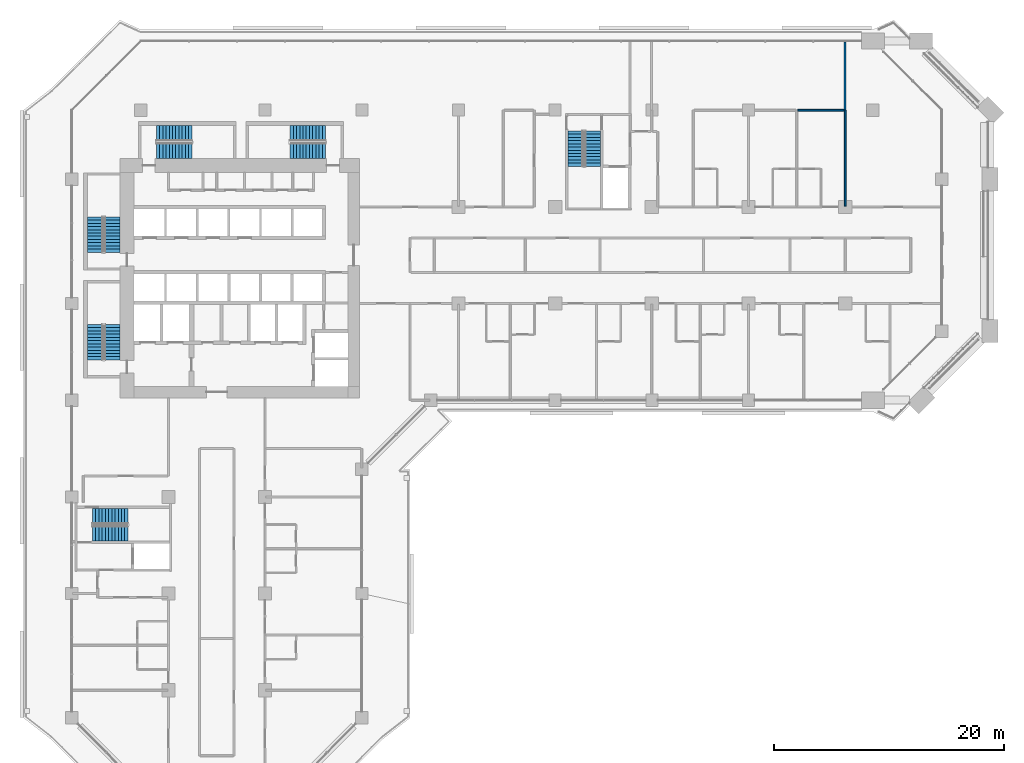
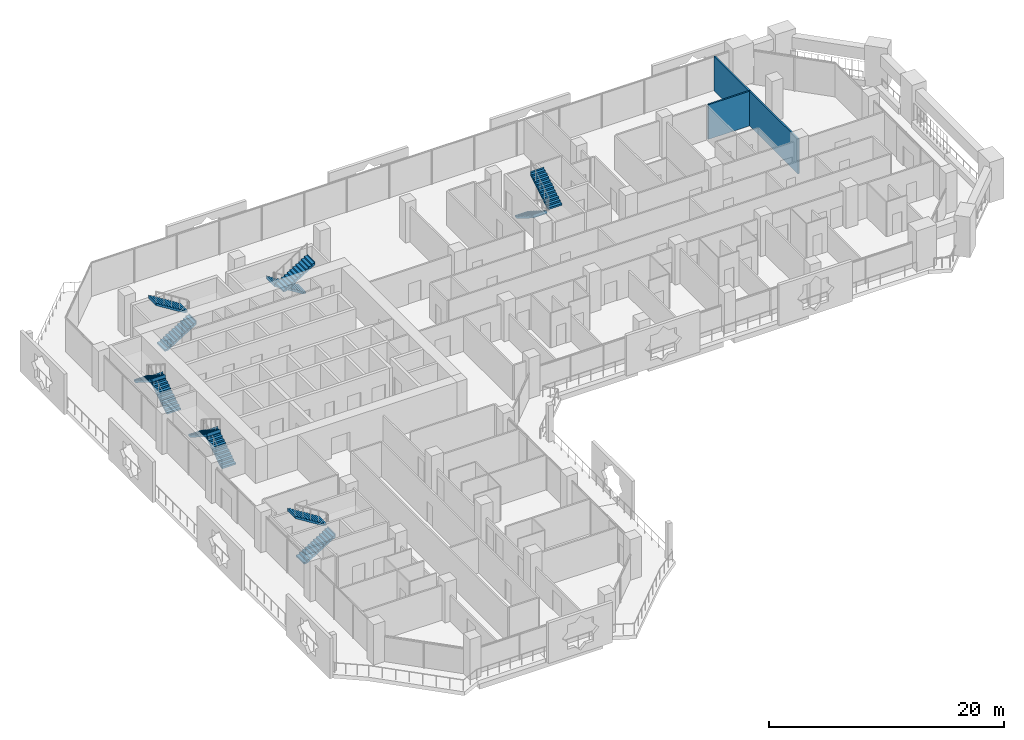
# One storey, part 19 of 25: 12 stair flights, 3 walls, 6 elements without a shape of their own.
"""IFC4 building model written with IfcOpenShell, lengths in metres."""

from ifc_helpers import new_model, si_unit, direction, frame, frame_2d, origin, place, context, subcontext, project, spatial, polyline, rectangle, outline, extrude, material, layer, layer_set, type_object, element, aggregate, save


model = new_model("IFC4")

# Units and contexts
model_context = context("Model", 3, precision=1e-05, world=origin(), true_north=direction((0.0, 1.0)))
body_context = subcontext(model_context, "Body", "Model", "MODEL_VIEW")
ifc_project = project(units=[si_unit("LENGTHUNIT", "METRE"), si_unit("AREAUNIT", "SQUARE_METRE"), si_unit("VOLUMEUNIT", "CUBIC_METRE"), si_unit("PLANEANGLEUNIT", "RADIAN"), si_unit("MASSUNIT", "GRAM", prefix="KILO")], contexts=[model_context])

# Site, building, storey
site_placement = place(None, origin())
site = spatial("IfcSite", under=ifc_project, at=site_placement, CompositionType="ELEMENT")
building_placement = place(site_placement, origin())
building = spatial("IfcBuilding", under=site, at=building_placement, Name="Kawkab Arch Medical Tower", CompositionType="ELEMENT")
storey_placement = place(building_placement, frame((0.0, 0.0, 111.39990234375)))
storey = spatial("IfcBuildingStorey", under=building, at=storey_placement, Name="L25", CompositionType="ELEMENT", Elevation=111.39990234375)

# Walls
ifc_material_1 = material(Name="Gypsum board partition on steel studs, mineral wool", Category="steel")
ifc_layer = layer(ifc_material_1, 0.14990234375)
ifc_layer_set = layer_set([ifc_layer], Name="Gypsum board partition on steel studs, mineral wool")
wall_type = type_object("IfcWallType", Name="Partition 150", PredefinedType="PARTITIONING", material=ifc_layer_set)
wall_1_placement = place(storey_placement, frame((63.094970703125, 0.0, 0.0), z_axis=(0.0, 0.0, 1.0), x_axis=(1.0, 0.0, 0.0)))
element("IfcWall", 1, at=wall_1_placement, inside=storey, type_object=wall_type, Name="Partition 150 w053", PredefinedType="PARTITIONING", context=body_context, shape_type="SweptSolid", body=[
    extrude(rectangle(XDim=4.010009765625, YDim=0.14990234375, at=frame_2d((2.0048828125, 0.0))), origin(), (0.0, 0.0, 1.0), 3.60009765625),
])
wall_2_placement = place(storey_placement, frame((67.179931640625, 0.02001953125, 0.0), z_axis=(0.0, 0.0, 1.0), x_axis=(0.0, 1.0, 0.0)))
element("IfcWall", 2, at=wall_2_placement, inside=storey, type_object=wall_type, Name="Partition 150 w087", PredefinedType="PARTITIONING", context=body_context, shape_type="SweptSolid", body=[
    extrude(rectangle(XDim=5.89990234375, YDim=0.14990234375, at=frame_2d((2.949951171875, 0.0))), origin(), (0.0, 0.0, 1.0), 3.60009765625),
])
wall_3_placement = place(storey_placement, frame((67.199951171875, -8.324951171875, 0.0), z_axis=(0.0, 0.0, 1.0), x_axis=(0.0, 1.0, 0.0)))
element("IfcWall", 3, at=wall_3_placement, inside=storey, type_object=wall_type, Name="Partition 150 w089", PredefinedType="PARTITIONING", context=body_context, shape_type="SweptSolid", body=[
    extrude(rectangle(XDim=8.322998046875, YDim=0.14990234375, at=frame_2d((4.16162109375, 0.0))), origin(), (0.0, 0.0, 1.0), 3.60009765625),
])

# Stair, stair flights
ifc_material_2 = material(Name="Concrete C40/50", Category="concrete")
stair_type = type_object("IfcStairType", Name="Exit stair 1350", PredefinedType="HALF_TURN_STAIR", material=ifc_material_2)
placement = place(storey_placement, origin())
stair_1 = element("IfcStair", 4, at=placement, inside=storey, type_object=stair_type, Name="L25 Exit stair ST1", PredefinedType="HALF_TURN_STAIR")
ifc_material_3 = material(Name="Concrete C40/50", Category="concrete")
stair_flight_type = type_object("IfcStairFlightType", Name="Exit stair flight 1350", PredefinedType="STRAIGHT", material=ifc_material_3)
stair_flight_1_placement = place(storey_placement, frame((3.52490234375, -12.35009765625, 0.0), z_axis=(0.0, 0.0, 1.0), x_axis=(0.0, 1.0, 0.0)))
stair_flight_1 = element("IfcStairFlight", 5, at=stair_flight_1_placement, type_object=stair_flight_type, Name="ST1 flight 1", NumberOfRisers=12, NumberOfTreads=11, PredefinedType="STRAIGHT", RiserHeight=0.175, TreadLength=0.28, context=body_context, shape_type="SweptSolid", body=[
    extrude(outline(polyline([(-0.0029296875, 0.0), (-0.0029296875, 0.175048828125), (0.0, 0.175048828125), (0.280029296875, 0.175048828125), (0.280029296875, 0.35009765625), (0.56005859375, 0.35009765625), (0.56005859375, 0.52490234375), (0.840087890625, 0.52490234375), (0.840087890625, 0.699951171875), (1.1201171875, 0.699951171875), (1.1201171875, 0.875), (1.39990234375, 0.875), (1.39990234375, 1.050048828125), (1.679931640625, 1.050048828125), (1.679931640625, 1.22509765625), (1.9599609375, 1.22509765625), (1.9599609375, 1.39990234375), (2.239990234375, 1.39990234375), (2.239990234375, 1.574951171875), (2.52001953125, 1.574951171875), (2.52001953125, 1.75), (2.800048828125, 1.75), (2.800048828125, 1.925048828125), (3.080078125, 1.925048828125), (3.080078125, 2.10009765625), (3.0830078125, 2.10009765625), (3.0830078125, 1.748291015625), (3.080078125, 1.748291015625), (0.28271484375, 0.0), (-0.0029296875, 0.0)])), frame((0.0, 0.675048828125, 0.0), z_axis=(0.0, -1.0, 0.0), x_axis=(1.0, 0.0, 0.0)), (0.0, 0.0, 1.0), 1.35009765625),
])
stair_flight_2_placement = place(storey_placement, frame((2.02490234375, -9.27001953125, 2.10009765625), z_axis=(0.0, 0.0, 1.0), x_axis=(0.0, -1.0, 0.0)))
stair_flight_2 = element("IfcStairFlight", 6, at=stair_flight_2_placement, type_object=stair_flight_type, Name="ST1 flight 2", NumberOfRisers=12, NumberOfTreads=11, PredefinedType="STRAIGHT", RiserHeight=0.175, TreadLength=0.28, context=body_context, shape_type="SweptSolid", body=[
    extrude(outline(polyline([(-0.0029296875, 0.0), (-0.0029296875, 0.175048828125), (0.0, 0.175048828125), (0.280029296875, 0.175048828125), (0.280029296875, 0.35009765625), (0.56005859375, 0.35009765625), (0.56005859375, 0.52490234375), (0.840087890625, 0.52490234375), (0.840087890625, 0.699951171875), (1.1201171875, 0.699951171875), (1.1201171875, 0.875), (1.39990234375, 0.875), (1.39990234375, 1.050048828125), (1.679931640625, 1.050048828125), (1.679931640625, 1.22509765625), (1.9599609375, 1.22509765625), (1.9599609375, 1.39990234375), (2.239990234375, 1.39990234375), (2.239990234375, 1.574951171875), (2.52001953125, 1.574951171875), (2.52001953125, 1.75), (2.800048828125, 1.75), (2.800048828125, 1.925048828125), (3.080078125, 1.925048828125), (3.080078125, 2.10009765625), (3.0830078125, 2.10009765625), (3.0830078125, 1.748291015625), (3.080078125, 1.748291015625), (0.28271484375, 0.0), (-0.0029296875, 0.0)])), frame((0.0, 0.675048828125, 0.0), z_axis=(0.0, -1.0, 0.0), x_axis=(1.0, 0.0, 0.0)), (0.0, 0.0, 1.0), 1.35009765625),
])
aggregate(stair_1, [stair_flight_1, stair_flight_2])

stair_2 = element("IfcStair", 7, at=placement, inside=storey, type_object=stair_type, Name="L25 Exit stair ST2", PredefinedType="HALF_TURN_STAIR")
stair_flight_3_placement = place(storey_placement, frame((3.52490234375, -21.699951171875, 0.0), z_axis=(0.0, 0.0, 1.0), x_axis=(0.0, 1.0, 0.0)))
stair_flight_3 = element("IfcStairFlight", 8, at=stair_flight_3_placement, type_object=stair_flight_type, Name="ST2 flight 1", NumberOfRisers=12, NumberOfTreads=11, PredefinedType="STRAIGHT", RiserHeight=0.175, TreadLength=0.28, context=body_context, shape_type="SweptSolid", body=[
    extrude(outline(polyline([(-0.0029296875, 0.0), (-0.0029296875, 0.175048828125), (0.0, 0.175048828125), (0.280029296875, 0.175048828125), (0.280029296875, 0.35009765625), (0.56005859375, 0.35009765625), (0.56005859375, 0.52490234375), (0.840087890625, 0.52490234375), (0.840087890625, 0.699951171875), (1.1201171875, 0.699951171875), (1.1201171875, 0.875), (1.39990234375, 0.875), (1.39990234375, 1.050048828125), (1.679931640625, 1.050048828125), (1.679931640625, 1.22509765625), (1.9599609375, 1.22509765625), (1.9599609375, 1.39990234375), (2.239990234375, 1.39990234375), (2.239990234375, 1.574951171875), (2.52001953125, 1.574951171875), (2.52001953125, 1.75), (2.800048828125, 1.75), (2.800048828125, 1.925048828125), (3.080078125, 1.925048828125), (3.080078125, 2.10009765625), (3.0830078125, 2.10009765625), (3.0830078125, 1.748291015625), (3.080078125, 1.748291015625), (0.28271484375, 0.0), (-0.0029296875, 0.0)])), frame((0.0, 0.675048828125, 0.0), z_axis=(0.0, -1.0, 0.0), x_axis=(1.0, 0.0, 0.0)), (0.0, 0.0, 1.0), 1.35009765625),
])
stair_flight_4_placement = place(storey_placement, frame((2.02490234375, -18.6201171875, 2.10009765625), z_axis=(0.0, 0.0, 1.0), x_axis=(0.0, -1.0, 0.0)))
stair_flight_4 = element("IfcStairFlight", 9, at=stair_flight_4_placement, type_object=stair_flight_type, Name="ST2 flight 2", NumberOfRisers=12, NumberOfTreads=11, PredefinedType="STRAIGHT", RiserHeight=0.175, TreadLength=0.28, context=body_context, shape_type="SweptSolid", body=[
    extrude(outline(polyline([(-0.0029296875, 0.0), (-0.0029296875, 0.175048828125), (0.0, 0.175048828125), (0.280029296875, 0.175048828125), (0.280029296875, 0.35009765625), (0.56005859375, 0.35009765625), (0.56005859375, 0.52490234375), (0.840087890625, 0.52490234375), (0.840087890625, 0.699951171875), (1.1201171875, 0.699951171875), (1.1201171875, 0.875), (1.39990234375, 0.875), (1.39990234375, 1.050048828125), (1.679931640625, 1.050048828125), (1.679931640625, 1.22509765625), (1.9599609375, 1.22509765625), (1.9599609375, 1.39990234375), (2.239990234375, 1.39990234375), (2.239990234375, 1.574951171875), (2.52001953125, 1.574951171875), (2.52001953125, 1.75), (2.800048828125, 1.75), (2.800048828125, 1.925048828125), (3.080078125, 1.925048828125), (3.080078125, 2.10009765625), (3.0830078125, 2.10009765625), (3.0830078125, 1.748291015625), (3.080078125, 1.748291015625), (0.28271484375, 0.0), (-0.0029296875, 0.0)])), frame((0.0, 0.675048828125, 0.0), z_axis=(0.0, -1.0, 0.0), x_axis=(1.0, 0.0, 0.0)), (0.0, 0.0, 1.0), 1.35009765625),
])
aggregate(stair_2, [stair_flight_3, stair_flight_4])

stair_3 = element("IfcStair", 10, at=placement, inside=storey, type_object=stair_type, Name="L25 Exit stair ST3", PredefinedType="HALF_TURN_STAIR")
stair_flight_5_placement = place(storey_placement, frame((7.35009765625, -3.52490234375, 0.0), z_axis=(0.0, 0.0, 1.0), x_axis=(1.0, 0.0, 0.0)))
stair_flight_5 = element("IfcStairFlight", 11, at=stair_flight_5_placement, type_object=stair_flight_type, Name="ST3 flight 1", NumberOfRisers=12, NumberOfTreads=11, PredefinedType="STRAIGHT", RiserHeight=0.175, TreadLength=0.28, context=body_context, shape_type="SweptSolid", body=[
    extrude(outline(polyline([(-0.0029296875, 0.0), (-0.0029296875, 0.175048828125), (0.0, 0.175048828125), (0.280029296875, 0.175048828125), (0.280029296875, 0.35009765625), (0.56005859375, 0.35009765625), (0.56005859375, 0.52490234375), (0.840087890625, 0.52490234375), (0.840087890625, 0.699951171875), (1.1201171875, 0.699951171875), (1.1201171875, 0.875), (1.39990234375, 0.875), (1.39990234375, 1.050048828125), (1.679931640625, 1.050048828125), (1.679931640625, 1.22509765625), (1.9599609375, 1.22509765625), (1.9599609375, 1.39990234375), (2.239990234375, 1.39990234375), (2.239990234375, 1.574951171875), (2.52001953125, 1.574951171875), (2.52001953125, 1.75), (2.800048828125, 1.75), (2.800048828125, 1.925048828125), (3.080078125, 1.925048828125), (3.080078125, 2.10009765625), (3.0830078125, 2.10009765625), (3.0830078125, 1.748291015625), (3.080078125, 1.748291015625), (0.28271484375, 0.0), (-0.0029296875, 0.0)])), frame((0.0, 0.675048828125, 0.0), z_axis=(0.0, -1.0, 0.0), x_axis=(1.0, 0.0, 0.0)), (0.0, 0.0, 1.0), 1.35009765625),
])
stair_flight_6_placement = place(storey_placement, frame((10.429931640625, -2.02490234375, 2.10009765625), z_axis=(0.0, 0.0, 1.0), x_axis=(-1.0, 0.0, 0.0)))
stair_flight_6 = element("IfcStairFlight", 12, at=stair_flight_6_placement, type_object=stair_flight_type, Name="ST3 flight 2", NumberOfRisers=12, NumberOfTreads=11, PredefinedType="STRAIGHT", RiserHeight=0.175, TreadLength=0.28, context=body_context, shape_type="SweptSolid", body=[
    extrude(outline(polyline([(-0.0029296875, 0.0), (-0.0029296875, 0.175048828125), (0.0, 0.175048828125), (0.280029296875, 0.175048828125), (0.280029296875, 0.35009765625), (0.56005859375, 0.35009765625), (0.56005859375, 0.52490234375), (0.840087890625, 0.52490234375), (0.840087890625, 0.699951171875), (1.1201171875, 0.699951171875), (1.1201171875, 0.875), (1.39990234375, 0.875), (1.39990234375, 1.050048828125), (1.679931640625, 1.050048828125), (1.679931640625, 1.22509765625), (1.9599609375, 1.22509765625), (1.9599609375, 1.39990234375), (2.239990234375, 1.39990234375), (2.239990234375, 1.574951171875), (2.52001953125, 1.574951171875), (2.52001953125, 1.75), (2.800048828125, 1.75), (2.800048828125, 1.925048828125), (3.080078125, 1.925048828125), (3.080078125, 2.10009765625), (3.0830078125, 2.10009765625), (3.0830078125, 1.748291015625), (3.080078125, 1.748291015625), (0.28271484375, 0.0), (-0.0029296875, 0.0)])), frame((0.0, 0.675048828125, 0.0), z_axis=(0.0, -1.0, 0.0), x_axis=(1.0, 0.0, 0.0)), (0.0, 0.0, 1.0), 1.35009765625),
])
aggregate(stair_3, [stair_flight_5, stair_flight_6])

stair_4 = element("IfcStair", 13, at=placement, inside=storey, type_object=stair_type, Name="L25 Exit stair ST4", PredefinedType="HALF_TURN_STAIR")
stair_flight_7_placement = place(storey_placement, frame((22.050048828125, -2.02490234375, 0.0), z_axis=(0.0, 0.0, 1.0), x_axis=(-1.0, 0.0, 0.0)))
stair_flight_7 = element("IfcStairFlight", 14, at=stair_flight_7_placement, type_object=stair_flight_type, Name="ST4 flight 1", NumberOfRisers=12, NumberOfTreads=11, PredefinedType="STRAIGHT", RiserHeight=0.175, TreadLength=0.28, context=body_context, shape_type="SweptSolid", body=[
    extrude(outline(polyline([(-0.0029296875, 0.0), (-0.0029296875, 0.175048828125), (0.0, 0.175048828125), (0.280029296875, 0.175048828125), (0.280029296875, 0.35009765625), (0.56005859375, 0.35009765625), (0.56005859375, 0.52490234375), (0.840087890625, 0.52490234375), (0.840087890625, 0.699951171875), (1.1201171875, 0.699951171875), (1.1201171875, 0.875), (1.39990234375, 0.875), (1.39990234375, 1.050048828125), (1.679931640625, 1.050048828125), (1.679931640625, 1.22509765625), (1.9599609375, 1.22509765625), (1.9599609375, 1.39990234375), (2.239990234375, 1.39990234375), (2.239990234375, 1.574951171875), (2.52001953125, 1.574951171875), (2.52001953125, 1.75), (2.800048828125, 1.75), (2.800048828125, 1.925048828125), (3.080078125, 1.925048828125), (3.080078125, 2.10009765625), (3.0830078125, 2.10009765625), (3.0830078125, 1.748291015625), (3.080078125, 1.748291015625), (0.28271484375, 0.0), (-0.0029296875, 0.0)])), frame((0.0, 0.675048828125, 0.0), z_axis=(0.0, -1.0, 0.0), x_axis=(1.0, 0.0, 0.0)), (0.0, 0.0, 1.0), 1.35009765625),
])
stair_flight_8_placement = place(storey_placement, frame((18.969970703125, -3.52490234375, 2.10009765625), z_axis=(0.0, 0.0, 1.0), x_axis=(1.0, 0.0, 0.0)))
stair_flight_8 = element("IfcStairFlight", 15, at=stair_flight_8_placement, type_object=stair_flight_type, Name="ST4 flight 2", NumberOfRisers=12, NumberOfTreads=11, PredefinedType="STRAIGHT", RiserHeight=0.175, TreadLength=0.28, context=body_context, shape_type="SweptSolid", body=[
    extrude(outline(polyline([(-0.0029296875, 0.0), (-0.0029296875, 0.175048828125), (0.0, 0.175048828125), (0.280029296875, 0.175048828125), (0.280029296875, 0.35009765625), (0.56005859375, 0.35009765625), (0.56005859375, 0.52490234375), (0.840087890625, 0.52490234375), (0.840087890625, 0.699951171875), (1.1201171875, 0.699951171875), (1.1201171875, 0.875), (1.39990234375, 0.875), (1.39990234375, 1.050048828125), (1.679931640625, 1.050048828125), (1.679931640625, 1.22509765625), (1.9599609375, 1.22509765625), (1.9599609375, 1.39990234375), (2.239990234375, 1.39990234375), (2.239990234375, 1.574951171875), (2.52001953125, 1.574951171875), (2.52001953125, 1.75), (2.800048828125, 1.75), (2.800048828125, 1.925048828125), (3.080078125, 1.925048828125), (3.080078125, 2.10009765625), (3.0830078125, 2.10009765625), (3.0830078125, 1.748291015625), (3.080078125, 1.748291015625), (0.28271484375, 0.0), (-0.0029296875, 0.0)])), frame((0.0, 0.675048828125, 0.0), z_axis=(0.0, -1.0, 0.0), x_axis=(1.0, 0.0, 0.0)), (0.0, 0.0, 1.0), 1.35009765625),
])
aggregate(stair_4, [stair_flight_7, stair_flight_8])

stair_5 = element("IfcStair", 16, at=placement, inside=storey, type_object=stair_type, Name="L25 Exit stair ST5", PredefinedType="HALF_TURN_STAIR")
stair_flight_9_placement = place(storey_placement, frame((43.77490234375, -1.800048828125, 0.0), z_axis=(0.0, 0.0, 1.0), x_axis=(0.0, -1.0, 0.0)))
stair_flight_9 = element("IfcStairFlight", 17, at=stair_flight_9_placement, type_object=stair_flight_type, Name="ST5 flight 1", NumberOfRisers=12, NumberOfTreads=11, PredefinedType="STRAIGHT", RiserHeight=0.175, TreadLength=0.28, context=body_context, shape_type="SweptSolid", body=[
    extrude(outline(polyline([(-0.0029296875, 0.0), (-0.0029296875, 0.175048828125), (0.0, 0.175048828125), (0.280029296875, 0.175048828125), (0.280029296875, 0.35009765625), (0.56005859375, 0.35009765625), (0.56005859375, 0.52490234375), (0.840087890625, 0.52490234375), (0.840087890625, 0.699951171875), (1.1201171875, 0.699951171875), (1.1201171875, 0.875), (1.39990234375, 0.875), (1.39990234375, 1.050048828125), (1.679931640625, 1.050048828125), (1.679931640625, 1.22509765625), (1.9599609375, 1.22509765625), (1.9599609375, 1.39990234375), (2.239990234375, 1.39990234375), (2.239990234375, 1.574951171875), (2.52001953125, 1.574951171875), (2.52001953125, 1.75), (2.800048828125, 1.75), (2.800048828125, 1.925048828125), (3.080078125, 1.925048828125), (3.080078125, 2.10009765625), (3.0830078125, 2.10009765625), (3.0830078125, 1.748291015625), (3.080078125, 1.748291015625), (0.28271484375, 0.0), (-0.0029296875, 0.0)])), frame((0.0, 0.675048828125, 0.0), z_axis=(0.0, -1.0, 0.0), x_axis=(1.0, 0.0, 0.0)), (0.0, 0.0, 1.0), 1.35009765625),
])
stair_flight_10_placement = place(storey_placement, frame((45.27490234375, -4.8798828125, 2.10009765625), z_axis=(0.0, 0.0, 1.0), x_axis=(0.0, 1.0, 0.0)))
stair_flight_10 = element("IfcStairFlight", 18, at=stair_flight_10_placement, type_object=stair_flight_type, Name="ST5 flight 2", NumberOfRisers=12, NumberOfTreads=11, PredefinedType="STRAIGHT", RiserHeight=0.175, TreadLength=0.28, context=body_context, shape_type="SweptSolid", body=[
    extrude(outline(polyline([(-0.0029296875, 0.0), (-0.0029296875, 0.175048828125), (0.0, 0.175048828125), (0.280029296875, 0.175048828125), (0.280029296875, 0.35009765625), (0.56005859375, 0.35009765625), (0.56005859375, 0.52490234375), (0.840087890625, 0.52490234375), (0.840087890625, 0.699951171875), (1.1201171875, 0.699951171875), (1.1201171875, 0.875), (1.39990234375, 0.875), (1.39990234375, 1.050048828125), (1.679931640625, 1.050048828125), (1.679931640625, 1.22509765625), (1.9599609375, 1.22509765625), (1.9599609375, 1.39990234375), (2.239990234375, 1.39990234375), (2.239990234375, 1.574951171875), (2.52001953125, 1.574951171875), (2.52001953125, 1.75), (2.800048828125, 1.75), (2.800048828125, 1.925048828125), (3.080078125, 1.925048828125), (3.080078125, 2.10009765625), (3.0830078125, 2.10009765625), (3.0830078125, 1.748291015625), (3.080078125, 1.748291015625), (0.28271484375, 0.0), (-0.0029296875, 0.0)])), frame((0.0, 0.675048828125, 0.0), z_axis=(0.0, -1.0, 0.0), x_axis=(1.0, 0.0, 0.0)), (0.0, 0.0, 1.0), 1.35009765625),
])
aggregate(stair_5, [stair_flight_9, stair_flight_10])

stair_6 = element("IfcStair", 19, at=placement, inside=storey, type_object=stair_type, Name="L25 Exit stair ST6", PredefinedType="HALF_TURN_STAIR")
stair_flight_11_placement = place(storey_placement, frame((1.800048828125, -36.77490234375, 0.0), z_axis=(0.0, 0.0, 1.0), x_axis=(1.0, 0.0, 0.0)))
stair_flight_11 = element("IfcStairFlight", 20, at=stair_flight_11_placement, type_object=stair_flight_type, Name="ST6 flight 1", NumberOfRisers=12, NumberOfTreads=11, PredefinedType="STRAIGHT", RiserHeight=0.175, TreadLength=0.28, context=body_context, shape_type="SweptSolid", body=[
    extrude(outline(polyline([(-0.0029296875, 0.0), (-0.0029296875, 0.175048828125), (0.0, 0.175048828125), (0.280029296875, 0.175048828125), (0.280029296875, 0.35009765625), (0.56005859375, 0.35009765625), (0.56005859375, 0.52490234375), (0.840087890625, 0.52490234375), (0.840087890625, 0.699951171875), (1.1201171875, 0.699951171875), (1.1201171875, 0.875), (1.39990234375, 0.875), (1.39990234375, 1.050048828125), (1.679931640625, 1.050048828125), (1.679931640625, 1.22509765625), (1.9599609375, 1.22509765625), (1.9599609375, 1.39990234375), (2.239990234375, 1.39990234375), (2.239990234375, 1.574951171875), (2.52001953125, 1.574951171875), (2.52001953125, 1.75), (2.800048828125, 1.75), (2.800048828125, 1.925048828125), (3.080078125, 1.925048828125), (3.080078125, 2.10009765625), (3.0830078125, 2.10009765625), (3.0830078125, 1.748291015625), (3.080078125, 1.748291015625), (0.28271484375, 0.0), (-0.0029296875, 0.0)])), frame((0.0, 0.675048828125, 0.0), z_axis=(0.0, -1.0, 0.0), x_axis=(1.0, 0.0, 0.0)), (0.0, 0.0, 1.0), 1.35009765625),
])
stair_flight_12_placement = place(storey_placement, frame((4.8798828125, -35.27490234375, 2.10009765625), z_axis=(0.0, 0.0, 1.0), x_axis=(-1.0, 0.0, 0.0)))
stair_flight_12 = element("IfcStairFlight", 21, at=stair_flight_12_placement, type_object=stair_flight_type, Name="ST6 flight 2", NumberOfRisers=12, NumberOfTreads=11, PredefinedType="STRAIGHT", RiserHeight=0.175, TreadLength=0.28, context=body_context, shape_type="SweptSolid", body=[
    extrude(outline(polyline([(-0.0029296875, 0.0), (-0.0029296875, 0.175048828125), (0.0, 0.175048828125), (0.280029296875, 0.175048828125), (0.280029296875, 0.35009765625), (0.56005859375, 0.35009765625), (0.56005859375, 0.52490234375), (0.840087890625, 0.52490234375), (0.840087890625, 0.699951171875), (1.1201171875, 0.699951171875), (1.1201171875, 0.875), (1.39990234375, 0.875), (1.39990234375, 1.050048828125), (1.679931640625, 1.050048828125), (1.679931640625, 1.22509765625), (1.9599609375, 1.22509765625), (1.9599609375, 1.39990234375), (2.239990234375, 1.39990234375), (2.239990234375, 1.574951171875), (2.52001953125, 1.574951171875), (2.52001953125, 1.75), (2.800048828125, 1.75), (2.800048828125, 1.925048828125), (3.080078125, 1.925048828125), (3.080078125, 2.10009765625), (3.0830078125, 2.10009765625), (3.0830078125, 1.748291015625), (3.080078125, 1.748291015625), (0.28271484375, 0.0), (-0.0029296875, 0.0)])), frame((0.0, 0.675048828125, 0.0), z_axis=(0.0, -1.0, 0.0), x_axis=(1.0, 0.0, 0.0)), (0.0, 0.0, 1.0), 1.35009765625),
])
aggregate(stair_6, [stair_flight_11, stair_flight_12])

save(model, "model.ifc")
